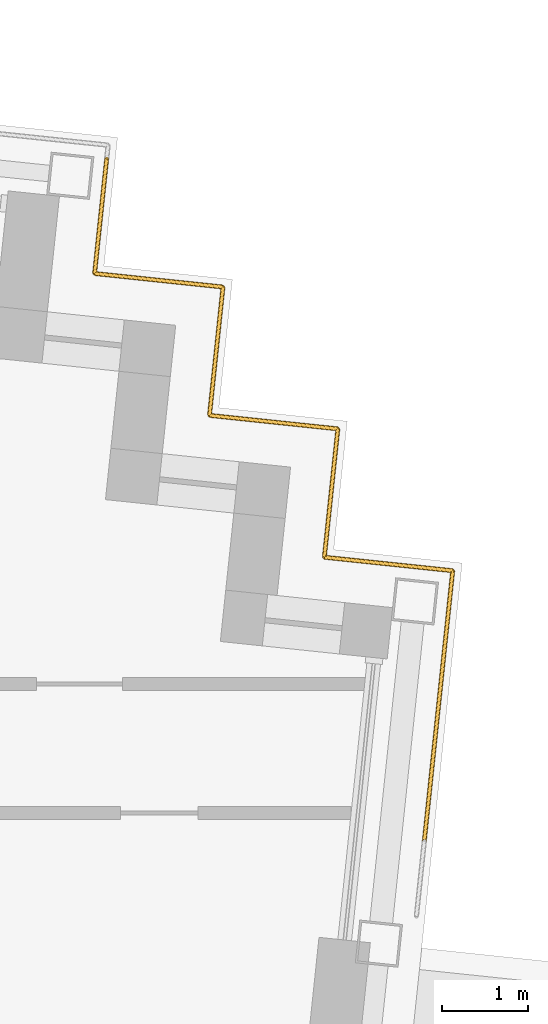
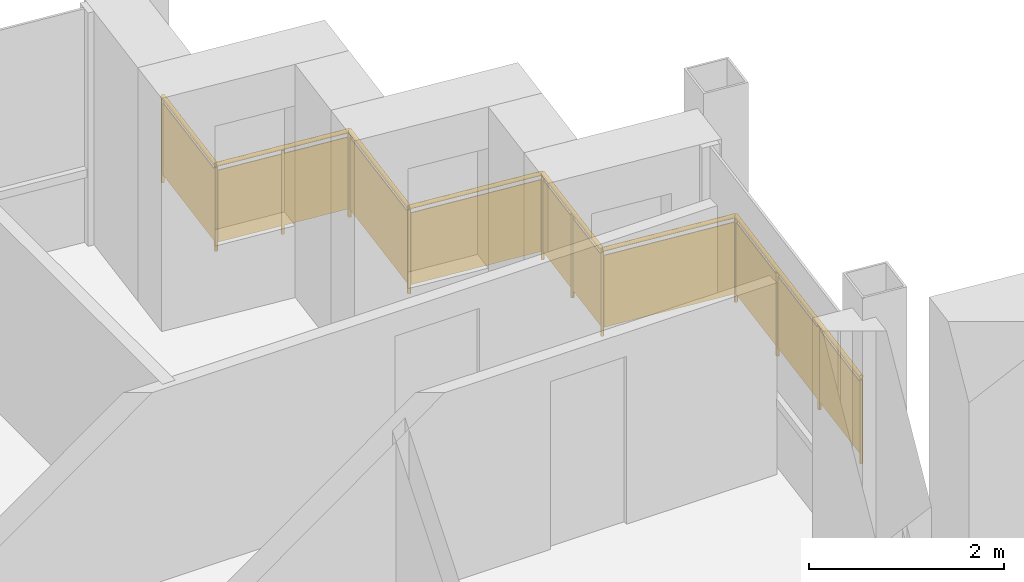
# One storey, part 16 of 16: 1 railing.
"""IFC4 building model written with IfcOpenShell, lengths in metres."""

from ifc_helpers import new_model, si_unit, direction, frame, origin, origin_2d, place, context, subcontext, project, spatial, rectangle, circle, extrude, material, type_object, element, save


model = new_model("IFC4")

# Units and contexts
model_context = context("Model", 3, precision=1e-05, world=origin(), true_north=direction((0.0, 1.0)))
body_context = subcontext(model_context, "Body", "Model", "MODEL_VIEW")
ifc_project = project(units=[si_unit("LENGTHUNIT", "METRE"), si_unit("AREAUNIT", "SQUARE_METRE"), si_unit("VOLUMEUNIT", "CUBIC_METRE"), si_unit("PLANEANGLEUNIT", "RADIAN"), si_unit("MASSUNIT", "GRAM", prefix="KILO")], contexts=[model_context])

# Site, building, storey
site_placement = place(None, origin())
site = spatial("IfcSite", under=ifc_project, at=site_placement, CompositionType="ELEMENT")
building_placement = place(site_placement, origin())
building = spatial("IfcBuilding", under=site, at=building_placement, Name="Vidyagriha Tower", CompositionType="ELEMENT")
storey_placement = place(building_placement, frame((0.0, 0.0, 259.5)))
storey = spatial("IfcBuildingStorey", under=building, at=storey_placement, Name="L67", CompositionType="ELEMENT", Elevation=259.5)

# Railing
ifc_material = material(Name="Steel ASTM A500 Grade C black painted", Category="steel")
railing_type = type_object("IfcRailingType", Name="Gallery guard 1100", PredefinedType="GUARDRAIL", material=ifc_material)
railing_placement = place(storey_placement, frame((29.24462890625, 18.54541015625, 0.0)))
element("IfcRailing", 1, at=railing_placement, inside=storey, type_object=railing_type, Name="Gallery guard L67 9", PredefinedType="GUARDRAIL", context=body_context, shape_type="SweptSolid", body=[
    extrude(circle(Radius=0.02490234375, at=origin_2d()), frame((0.0, 0.0, 1.0751953125), z_axis=(-0.104589933737, -0.994515432641, 0.0), x_axis=(0.994515432641, -0.104589933737, 0.0)), (0.0, 0.0, 1.0), 1.33984375),
    extrude(circle(Radius=0.02490234375, at=origin_2d()), frame((-0.14013671875, -1.33251953125, 1.0751953125), z_axis=(0.994509910675, -0.104642427191, 0.0), x_axis=(0.104642427191, 0.994509910675, 0.0)), (0.0, 0.0, 1.0), 1.500244140625),
    extrude(circle(Radius=0.02490234375, at=origin_2d()), frame((1.351806640625, -1.489501953125, 1.0751953125), z_axis=(-0.104498377516, -0.994525057048, 0.0), x_axis=(0.994525057048, -0.104498377516, 0.0)), (0.0, 0.0, 1.0), 1.5),
    extrude(circle(Radius=0.02490234375, at=origin_2d()), frame((1.195068359375, -2.981201171875, 1.0751953125), z_axis=(0.994525057048, -0.104498377516, 0.0), x_axis=(0.104498377516, 0.994525057048, 0.0)), (0.0, 0.0, 1.0), 1.5),
    extrude(circle(Radius=0.02490234375, at=origin_2d()), frame((2.686767578125, -3.137939453125, 1.0751953125), z_axis=(-0.104481464157, -0.994526834051, 0.0), x_axis=(0.994526834051, -0.104481464157, 0.0)), (0.0, 0.0, 1.0), 1.500244140625),
    extrude(circle(Radius=0.02490234375, at=origin_2d()), frame((2.530029296875, -4.6298828125, 1.0751953125), z_axis=(0.994525057048, -0.104498377516, 0.0), x_axis=(0.104498377516, 0.994525057048, 0.0)), (0.0, 0.0, 1.0), 1.5),
    extrude(circle(Radius=0.02490234375, at=origin_2d()), frame((4.021728515625, -4.78662109375, 1.0751953125), z_axis=(-0.104527942092, -0.994521950146, 0.0), x_axis=(0.994521950146, -0.104527942092, 0.0)), (0.0, 0.0, 1.0), 3.16015625),
    extrude(circle(Radius=0.02001953125, at=origin_2d()), origin(), (0.0, 0.0, 1.0), 1.050048828125),
    extrude(circle(Radius=0.02001953125, at=origin_2d()), frame((-0.14013671875, -1.33251953125, 0.0)), (0.0, 0.0, 1.0), 1.050048828125),
    extrude(circle(Radius=0.02001953125, at=origin_2d()), frame((0.60595703125, -1.4111328125, 0.0)), (0.0, 0.0, 1.0), 1.050048828125),
    extrude(circle(Radius=0.02001953125, at=origin_2d()), frame((1.351806640625, -1.489501953125, 0.0)), (0.0, 0.0, 1.0), 1.050048828125),
    extrude(circle(Radius=0.02001953125, at=origin_2d()), frame((1.195068359375, -2.981201171875, 0.0)), (0.0, 0.0, 1.0), 1.050048828125),
    extrude(circle(Radius=0.02001953125, at=origin_2d()), frame((2.686767578125, -3.137939453125, 0.0)), (0.0, 0.0, 1.0), 1.050048828125),
    extrude(circle(Radius=0.02001953125, at=origin_2d()), frame((2.6083984375, -3.8837890625, 0.0)), (0.0, 0.0, 1.0), 1.050048828125),
    extrude(circle(Radius=0.02001953125, at=origin_2d()), frame((2.530029296875, -4.6298828125, 0.0)), (0.0, 0.0, 1.0), 1.050048828125),
    extrude(circle(Radius=0.02001953125, at=origin_2d()), frame((4.021728515625, -4.78662109375, 0.0)), (0.0, 0.0, 1.0), 1.050048828125),
    extrude(circle(Radius=0.02001953125, at=origin_2d()), frame((3.91162109375, -5.834228515625, 0.0)), (0.0, 0.0, 1.0), 1.050048828125),
    extrude(circle(Radius=0.02001953125, at=origin_2d()), frame((3.801513671875, -6.8818359375, 0.0)), (0.0, 0.0, 1.0), 1.050048828125),
    extrude(circle(Radius=0.02001953125, at=origin_2d()), frame((3.69140625, -7.929443359375, 0.0)), (0.0, 0.0, 1.0), 1.050048828125),
    extrude(rectangle(XDim=0.010009765625, YDim=0.900146484375, at=origin_2d()), frame((0.0, 0.0, 0.550048828125), z_axis=(-0.104589933737, -0.994515432641, 0.0), x_axis=(0.994515432641, -0.104589933737, 0.0)), (0.0, 0.0, 1.0), 1.33984375),
    extrude(rectangle(XDim=0.010009765625, YDim=0.900146484375, at=origin_2d()), frame((-0.14013671875, -1.33251953125, 0.550048828125), z_axis=(0.994509910675, -0.104642427191, 0.0), x_axis=(0.104642427191, 0.994509910675, 0.0)), (0.0, 0.0, 1.0), 1.500244140625),
    extrude(rectangle(XDim=0.010009765625, YDim=0.900146484375, at=origin_2d()), frame((1.351806640625, -1.489501953125, 0.550048828125), z_axis=(-0.104498377516, -0.994525057048, 0.0), x_axis=(0.994525057048, -0.104498377516, 0.0)), (0.0, 0.0, 1.0), 1.5),
    extrude(rectangle(XDim=0.010009765625, YDim=0.900146484375, at=origin_2d()), frame((1.195068359375, -2.981201171875, 0.550048828125), z_axis=(0.994525057048, -0.104498377516, 0.0), x_axis=(0.104498377516, 0.994525057048, 0.0)), (0.0, 0.0, 1.0), 1.5),
    extrude(rectangle(XDim=0.010009765625, YDim=0.900146484375, at=origin_2d()), frame((2.686767578125, -3.137939453125, 0.550048828125), z_axis=(-0.104481464157, -0.994526834051, 0.0), x_axis=(0.994526834051, -0.104481464157, 0.0)), (0.0, 0.0, 1.0), 1.500244140625),
    extrude(rectangle(XDim=0.010009765625, YDim=0.900146484375, at=origin_2d()), frame((2.530029296875, -4.6298828125, 0.550048828125), z_axis=(0.994525057048, -0.104498377516, 0.0), x_axis=(0.104498377516, 0.994525057048, 0.0)), (0.0, 0.0, 1.0), 1.5),
    extrude(rectangle(XDim=0.010009765625, YDim=0.900146484375, at=origin_2d()), frame((4.021728515625, -4.78662109375, 0.550048828125), z_axis=(-0.104527942092, -0.994521950146, 0.0), x_axis=(0.994521950146, -0.104527942092, 0.0)), (0.0, 0.0, 1.0), 3.16015625),
])

save(model, "model.ifc")
